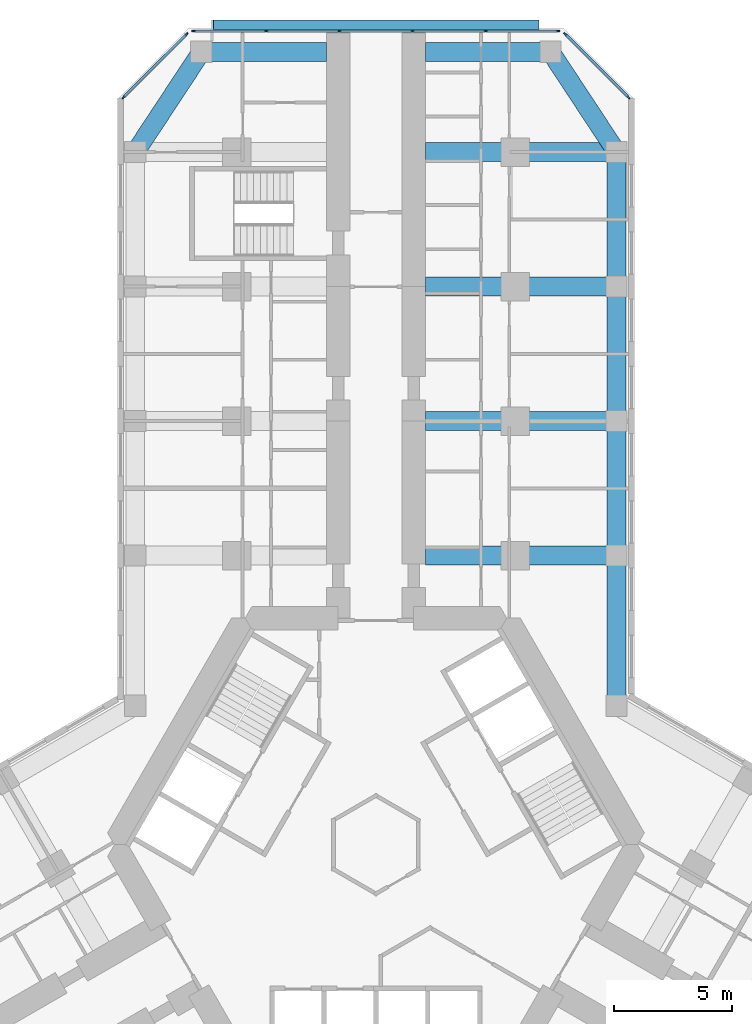
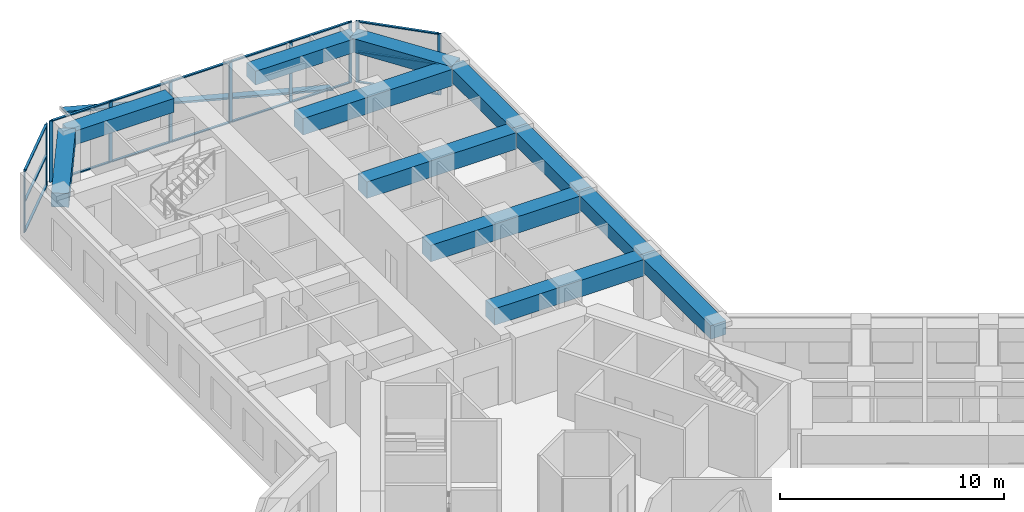
# One storey, part 7 of 22: 27 members, 12 beams, 3 elements without a shape of their own.
"""IFC4 building model written with IfcOpenShell, lengths in metres."""

from ifc_helpers import new_model, si_unit, direction, frame, origin, origin_2d, place, context, subcontext, project, spatial, rectangle, extrude, material, material_profile, profile_set, type_object, element, aggregate, save


model = new_model("IFC4")

# Units and contexts
model_context = context("Model", 3, precision=1e-05, world=origin(), true_north=direction((0.0, 1.0)))
body_context = subcontext(model_context, "Body", "Model", "MODEL_VIEW")
ifc_project = project(units=[si_unit("LENGTHUNIT", "METRE"), si_unit("AREAUNIT", "SQUARE_METRE"), si_unit("VOLUMEUNIT", "CUBIC_METRE"), si_unit("PLANEANGLEUNIT", "RADIAN"), si_unit("MASSUNIT", "GRAM", prefix="KILO")], contexts=[model_context])

# Site, building, storey
site_placement = place(None, origin())
site = spatial("IfcSite", under=ifc_project, at=site_placement, CompositionType="ELEMENT")
building_placement = place(site_placement, origin())
building = spatial("IfcBuilding", under=site, at=building_placement, Name="Kosmar Iwan School Tower", CompositionType="ELEMENT")
storey_placement = place(building_placement, frame((0.0, 0.0, 91.60009765625)))
storey = spatial("IfcBuildingStorey", under=building, at=storey_placement, Name="L22", CompositionType="ELEMENT", Elevation=91.60009765625)

# Member
ifc_material_1 = material(Name="Black anodised aluminium", Category="aluminium")
ifc_material_profile_1 = material_profile(ifc_material_1, rectangle(XDim=0.10009765625, YDim=0.39990234375, at=origin_2d()), Name="FIN 100x400")
ifc_profile_set_1 = profile_set([ifc_material_profile_1], Name="Black anodised aluminium")
member_type_1 = type_object("IfcMemberType", Name="Diagonal fin 100x400", PredefinedType="USERDEFINED", material=ifc_profile_set_1)
member_1_placement = place(storey_placement, frame((6.898193359375, 34.75, -0.150146484375), z_axis=(-0.967599450335, 0.0, 0.252490205179), x_axis=(0.252490205179, 0.0, 0.967599450335)))
element("IfcMember", 1, at=member_1_placement, inside=storey, type_object=member_type_1, Name="Diagonal fin L22-F08", ObjectType="FIN", PredefinedType="USERDEFINED", context=body_context, shape_type="SweptSolid", body=[
    extrude(rectangle(XDim=0.10009765625, YDim=0.39990234375, at=origin_2d()), origin(), (0.0, 0.0, 1.0), 14.25830078125),
])

# Curtain wall, members
ifc_material_2 = material(Name="Dark glass in black aluminium frame", Category="aluminium")
curtain_wall_type_1 = type_object("IfcCurtainWallType", Name="Chamfer curtain wall dark glass", PredefinedType="USERDEFINED", material=ifc_material_2)
curtain_wall_1_placement = place(storey_placement, origin())
curtain_wall_1 = element("IfcCurtainWall", 2, at=curtain_wall_1_placement, inside=storey, type_object=curtain_wall_type_1, Name="Curtain wall L22-F07", ObjectType="FACETED CURTAIN WALL", PredefinedType="USERDEFINED")
ifc_material_3 = material(Name="Black anodised aluminium", Category="aluminium")
ifc_material_profile_2 = material_profile(ifc_material_3, rectangle(XDim=0.06005859375, YDim=0.159912109375, at=origin_2d()), Name="MULLION 60x160")
ifc_profile_set_2 = profile_set([ifc_material_profile_2], Name="Black anodised aluminium")
member_type_2 = type_object("IfcMemberType", Name="Mullion 60x160", PredefinedType="MULLION", material=ifc_profile_set_2)
member_2_placement = place(storey_placement, frame((10.69775390625, 31.675537109375, 0.0), z_axis=(0.0, 0.0, 1.0), x_axis=(-0.707106781187, -0.707106781187, 0.0)))
member_2 = element("IfcMember", 3, at=member_2_placement, type_object=member_type_2, Name="CW2 mullion 1", PredefinedType="MULLION", context=body_context, shape_type="SweptSolid", body=[
    extrude(rectangle(XDim=0.06005859375, YDim=0.159912109375, at=origin_2d()), origin(), (0.0, 0.0, 1.0), 3.349853515625),
])
member_3_placement = place(storey_placement, frame((8.025390625, 34.34765625, 0.0), z_axis=(0.0, 0.0, 1.0), x_axis=(-0.707106781187, -0.707106781187, 0.0)))
member_3 = element("IfcMember", 4, at=member_3_placement, type_object=member_type_2, Name="CW2 mullion 2", PredefinedType="MULLION", context=body_context, shape_type="SweptSolid", body=[
    extrude(rectangle(XDim=0.06005859375, YDim=0.159912109375, at=origin_2d()), origin(), (0.0, 0.0, 1.0), 3.349853515625),
])

ifc_material_4 = material(Name="Dark glass in black aluminium frame", Category="aluminium")
curtain_wall_type_2 = type_object("IfcCurtainWallType", Name="Tower curtain wall dark glass", PredefinedType="USERDEFINED", material=ifc_material_4)
curtain_wall_2_placement = place(storey_placement, origin())
curtain_wall_2 = element("IfcCurtainWall", 5, at=curtain_wall_2_placement, inside=storey, type_object=curtain_wall_type_2, Name="Curtain wall L22-F08", ObjectType="UNITISED CURTAIN WALL", PredefinedType="USERDEFINED")
member_4_placement = place(storey_placement, frame((7.71826171875, 34.47509765625, 0.0), z_axis=(0.0, 0.0, 1.0), x_axis=(0.0, -1.0, 0.0)))
member_4 = element("IfcMember", 6, at=member_4_placement, type_object=member_type_2, Name="CW1 mullion 1", PredefinedType="MULLION", context=body_context, shape_type="SweptSolid", body=[
    extrude(rectangle(XDim=0.06005859375, YDim=0.159912109375, at=origin_2d()), origin(), (0.0, 0.0, 1.0), 3.349853515625),
])
member_5_placement = place(storey_placement, frame((4.64892578125, 34.47509765625, 0.0), z_axis=(0.0, 0.0, 1.0), x_axis=(0.0, -1.0, 0.0)))
member_5 = element("IfcMember", 7, at=member_5_placement, type_object=member_type_2, Name="CW1 mullion 2", PredefinedType="MULLION", context=body_context, shape_type="SweptSolid", body=[
    extrude(rectangle(XDim=0.06005859375, YDim=0.159912109375, at=origin_2d()), origin(), (0.0, 0.0, 1.0), 3.349853515625),
])
member_6_placement = place(storey_placement, frame((1.549560546875, 34.47509765625, 0.0), z_axis=(0.0, 0.0, 1.0), x_axis=(0.0, -1.0, 0.0)))
member_6 = element("IfcMember", 8, at=member_6_placement, type_object=member_type_2, Name="CW1 mullion 3", PredefinedType="MULLION", context=body_context, shape_type="SweptSolid", body=[
    extrude(rectangle(XDim=0.06005859375, YDim=0.159912109375, at=origin_2d()), origin(), (0.0, 0.0, 1.0), 3.349853515625),
])
member_7_placement = place(storey_placement, frame((-1.549560546875, 34.47509765625, 0.0), z_axis=(0.0, 0.0, 1.0), x_axis=(0.0, -1.0, 0.0)))
member_7 = element("IfcMember", 9, at=member_7_placement, type_object=member_type_2, Name="CW1 mullion 4", PredefinedType="MULLION", context=body_context, shape_type="SweptSolid", body=[
    extrude(rectangle(XDim=0.06005859375, YDim=0.159912109375, at=origin_2d()), origin(), (0.0, 0.0, 1.0), 3.349853515625),
])
member_8_placement = place(storey_placement, frame((-4.64892578125, 34.47509765625, 0.0), z_axis=(0.0, 0.0, 1.0), x_axis=(0.0, -1.0, 0.0)))
member_8 = element("IfcMember", 10, at=member_8_placement, type_object=member_type_2, Name="CW1 mullion 5", PredefinedType="MULLION", context=body_context, shape_type="SweptSolid", body=[
    extrude(rectangle(XDim=0.06005859375, YDim=0.159912109375, at=origin_2d()), origin(), (0.0, 0.0, 1.0), 3.349853515625),
])
member_9_placement = place(storey_placement, frame((-7.71826171875, 34.47509765625, 0.0), z_axis=(0.0, 0.0, 1.0), x_axis=(0.0, -1.0, 0.0)))
member_9 = element("IfcMember", 11, at=member_9_placement, type_object=member_type_2, Name="CW1 mullion 6", PredefinedType="MULLION", context=body_context, shape_type="SweptSolid", body=[
    extrude(rectangle(XDim=0.06005859375, YDim=0.159912109375, at=origin_2d()), origin(), (0.0, 0.0, 1.0), 3.349853515625),
])

curtain_wall_3_placement = place(storey_placement, origin())
curtain_wall_3 = element("IfcCurtainWall", 12, at=curtain_wall_3_placement, inside=storey, type_object=curtain_wall_type_1, Name="Curtain wall L22-F09", ObjectType="FACETED CURTAIN WALL", PredefinedType="USERDEFINED")
member_10_placement = place(storey_placement, frame((-8.025390625, 34.34765625, 0.0), z_axis=(0.0, 0.0, 1.0), x_axis=(0.707106781187, -0.707106781187, 0.0)))
member_10 = element("IfcMember", 13, at=member_10_placement, type_object=member_type_2, Name="CW2 mullion 1", PredefinedType="MULLION", context=body_context, shape_type="SweptSolid", body=[
    extrude(rectangle(XDim=0.06005859375, YDim=0.159912109375, at=origin_2d()), origin(), (0.0, 0.0, 1.0), 3.349853515625),
])
member_11_placement = place(storey_placement, frame((-10.69775390625, 31.675537109375, 0.0), z_axis=(0.0, 0.0, 1.0), x_axis=(0.707106781187, -0.707106781187, 0.0)))
member_11 = element("IfcMember", 14, at=member_11_placement, type_object=member_type_2, Name="CW2 mullion 2", PredefinedType="MULLION", context=body_context, shape_type="SweptSolid", body=[
    extrude(rectangle(XDim=0.06005859375, YDim=0.159912109375, at=origin_2d()), origin(), (0.0, 0.0, 1.0), 3.349853515625),
])

# Beams
ifc_material_5 = material(Name="Concrete C50/60", Category="concrete")
ifc_material_profile_3 = material_profile(ifc_material_5, rectangle(XDim=0.800048828125, YDim=0.75, at=origin_2d()), Name="RC 800x750")
ifc_profile_set_3 = profile_set([ifc_material_profile_3], Name="Concrete C50/60")
beam_type_1 = type_object("IfcBeamType", Name="RC edge beam 800x750", PredefinedType="BEAM", material=ifc_profile_set_3)
beam_1_placement = place(storey_placement, frame((10.199951171875, 5.888916015625, 2.974853515625), z_axis=(0.0, 1.0, 0.0), x_axis=(-1.0, 0.0, 0.0)))
element("IfcBeam", 15, at=beam_1_placement, inside=storey, type_object=beam_type_1, Name="Edge beam AR1", PredefinedType="BEAM", context=body_context, shape_type="SweptSolid", body=[
    extrude(rectangle(XDim=0.800048828125, YDim=0.75, at=origin_2d()), origin(), (0.0, 0.0, 1.0), 6.361083984375),
])
for number, where, z_axis, x_axis, name in (
    (16, (10.199951171875, 12.25, 2.974853515625), (0.0, 1.0, 0.0), (-1.0, 0.0, 0.0), "Edge beam AR2"),
    (17, (10.199951171875, 17.949951171875, 2.974853515625), (0.0, 1.0, 0.0), (-1.0, 0.0, 0.0), "Edge beam AR3"),
):
    element("IfcBeam", number, at=place(storey_placement, frame(where, z_axis=z_axis, x_axis=x_axis)), inside=storey, type_object=beam_type_1, Name=name, PredefinedType="BEAM", context=body_context, shape_type="SweptSolid", body=[
        extrude(rectangle(XDim=0.800048828125, YDim=0.75, at=origin_2d()), origin(), (0.0, 0.0, 1.0), 5.699951171875),
    ])
beam_2_placement = place(storey_placement, frame((10.199951171875, 23.64990234375, 2.974853515625), z_axis=(0.0, 1.0, 0.0), x_axis=(-1.0, 0.0, 0.0)))
element("IfcBeam", 18, at=beam_2_placement, inside=storey, type_object=beam_type_1, Name="Edge beam AR4", PredefinedType="BEAM", context=body_context, shape_type="SweptSolid", body=[
    extrude(rectangle(XDim=0.800048828125, YDim=0.75, at=origin_2d()), origin(), (0.0, 0.0, 1.0), 5.7001953125),
])
ifc_material_6 = material(Name="Concrete C50/60", Category="concrete")
ifc_material_profile_4 = material_profile(ifc_material_6, rectangle(XDim=0.800048828125, YDim=0.75, at=origin_2d()), Name="RC 800x750")
ifc_profile_set_4 = profile_set([ifc_material_profile_4], Name="Concrete C50/60")
beam_type_2 = type_object("IfcBeamType", Name="RC tip beam 800x750", PredefinedType="BEAM", material=ifc_profile_set_4)
beam_3_placement = place(storey_placement, frame((-10.199951171875, 29.35009765625, 2.974853515625), z_axis=(0.550164383043, 0.835056376319, 0.0), x_axis=(-0.835056376319, 0.550164383043, 0.0)))
element("IfcBeam", 19, at=beam_3_placement, inside=storey, type_object=beam_type_2, Name="Tip beam AL", PredefinedType="BEAM", context=body_context, shape_type="SweptSolid", body=[
    extrude(rectangle(XDim=0.800048828125, YDim=0.75, at=origin_2d()), origin(), (0.0, 0.0, 1.0), 5.08935546875),
])
beam_4_placement = place(storey_placement, frame((-7.39990234375, 33.60009765625, 2.974853515625), z_axis=(1.0, 0.0, 0.0), x_axis=(0.0, 1.0, 0.0)))
element("IfcBeam", 20, at=beam_4_placement, inside=storey, type_object=beam_type_2, Name="Tip beam AL to corridor wall", PredefinedType="BEAM", context=body_context, shape_type="SweptSolid", body=[
    extrude(rectangle(XDim=0.800048828125, YDim=0.75, at=origin_2d()), origin(), (0.0, 0.0, 1.0), 5.2998046875),
])
beam_5_placement = place(storey_placement, frame((10.199951171875, 29.35009765625, 2.974853515625), z_axis=(-0.550164383043, 0.835056376319, 0.0), x_axis=(-0.835056376319, -0.550164383043, 0.0)))
element("IfcBeam", 21, at=beam_5_placement, inside=storey, type_object=beam_type_2, Name="Tip beam AR", PredefinedType="BEAM", context=body_context, shape_type="SweptSolid", body=[
    extrude(rectangle(XDim=0.800048828125, YDim=0.75, at=origin_2d()), origin(), (0.0, 0.0, 1.0), 5.08935546875),
])
beam_6_placement = place(storey_placement, frame((7.39990234375, 33.60009765625, 2.974853515625), z_axis=(-1.0, 0.0, 0.0), x_axis=(0.0, -1.0, 0.0)))
element("IfcBeam", 22, at=beam_6_placement, inside=storey, type_object=beam_type_2, Name="Tip beam AR to corridor wall", PredefinedType="BEAM", context=body_context, shape_type="SweptSolid", body=[
    extrude(rectangle(XDim=0.800048828125, YDim=0.75, at=origin_2d()), origin(), (0.0, 0.0, 1.0), 5.2998046875),
])
ifc_material_7 = material(Name="Concrete C50/60", Category="concrete")
ifc_material_profile_5 = material_profile(ifc_material_7, rectangle(XDim=0.800048828125, YDim=0.89990234375, at=origin_2d()), Name="RC 800x900")
ifc_profile_set_5 = profile_set([ifc_material_profile_5], Name="Concrete C50/60")
beam_type_3 = type_object("IfcBeamType", Name="RC transverse beam 800x900", PredefinedType="BEAM", material=ifc_profile_set_5)
for number, where, z_axis, x_axis, name in (
    (23, (10.199951171875, 12.25, 2.89990234375), (-1.0, 0.0, 0.0), (0.0, -1.0, 0.0), "Transverse beam AR1"),
    (24, (10.199951171875, 17.949951171875, 2.89990234375), (-1.0, 0.0, 0.0), (0.0, -1.0, 0.0), "Transverse beam AR2"),
    (25, (10.199951171875, 23.64990234375, 2.89990234375), (-1.0, 0.0, 0.0), (0.0, -1.0, 0.0), "Transverse beam AR3"),
    (26, (10.199951171875, 29.35009765625, 2.89990234375), (-1.0, 0.0, 0.0), (0.0, -1.0, 0.0), "Transverse beam AR4"),
):
    element("IfcBeam", number, at=place(storey_placement, frame(where, z_axis=z_axis, x_axis=x_axis)), inside=storey, type_object=beam_type_3, Name=name, PredefinedType="BEAM", context=body_context, shape_type="SweptSolid", body=[
        extrude(rectangle(XDim=0.800048828125, YDim=0.89990234375, at=origin_2d()), origin(), (0.0, 0.0, 1.0), 8.099853515625),
    ])

# Member
ifc_material_8 = material(Name="Black anodised aluminium", Category="aluminium")
ifc_material_profile_6 = material_profile(ifc_material_8, rectangle(XDim=0.1201171875, YDim=0.06005859375, at=origin_2d()), Name="TRANSOM 60x120")
ifc_profile_set_6 = profile_set([ifc_material_profile_6], Name="Black anodised aluminium")
member_type_3 = type_object("IfcMemberType", Name="Transom 60x120", PredefinedType="USERDEFINED", material=ifc_profile_set_6)
member_12_placement = place(storey_placement, frame((10.676513671875, 31.69677734375, 0.02978515625), z_axis=(-0.707139603466, 0.707073957383, 0.0), x_axis=(-0.707073957383, -0.707139603466, 0.0)))
member_12 = element("IfcMember", 27, at=member_12_placement, type_object=member_type_3, Name="CW2 transom 1.1", ObjectType="TRANSOM", PredefinedType="USERDEFINED", context=body_context, shape_type="SweptSolid", body=[
    extrude(rectangle(XDim=0.1201171875, YDim=0.06005859375, at=origin_2d()), origin(), (0.0, 0.0, 1.0), 3.718994140625),
])

member_13_placement = place(storey_placement, frame((10.676513671875, 31.69677734375, 1.6748046875), z_axis=(-0.707139603466, 0.707073957383, 0.0), x_axis=(-0.707073957383, -0.707139603466, 0.0)))
member_13 = element("IfcMember", 28, at=member_13_placement, type_object=member_type_3, Name="CW2 transom 1.2", ObjectType="TRANSOM", PredefinedType="USERDEFINED", context=body_context, shape_type="SweptSolid", body=[
    extrude(rectangle(XDim=0.1201171875, YDim=0.06005859375, at=origin_2d()), origin(), (0.0, 0.0, 1.0), 3.718994140625),
])

member_14_placement = place(storey_placement, frame((10.676513671875, 31.69677734375, 3.31982421875), z_axis=(-0.707139603466, 0.707073957383, 0.0), x_axis=(-0.707073957383, -0.707139603466, 0.0)))
member_14 = element("IfcMember", 29, at=member_14_placement, type_object=member_type_3, Name="CW2 transom 1.3", ObjectType="TRANSOM", PredefinedType="USERDEFINED", context=body_context, shape_type="SweptSolid", body=[
    extrude(rectangle(XDim=0.1201171875, YDim=0.06005859375, at=origin_2d()), origin(), (0.0, 0.0, 1.0), 3.718994140625),
])

aggregate(curtain_wall_1, [member_2, member_3, member_12, member_13, member_14])

member_15_placement = place(storey_placement, frame((7.688232421875, 34.47509765625, 0.02978515625), z_axis=(-1.0, 0.0, 0.0), x_axis=(0.0, -1.0, 0.0)))
member_15 = element("IfcMember", 30, at=member_15_placement, type_object=member_type_3, Name="CW1 transom 1.1", ObjectType="TRANSOM", PredefinedType="USERDEFINED", context=body_context, shape_type="SweptSolid", body=[
    extrude(rectangle(XDim=0.1201171875, YDim=0.06005859375, at=origin_2d()), origin(), (0.0, 0.0, 1.0), 3.00927734375),
])

member_16_placement = place(storey_placement, frame((7.688232421875, 34.47509765625, 3.31982421875), z_axis=(-1.0, 0.0, 0.0), x_axis=(0.0, -1.0, 0.0)))
member_16 = element("IfcMember", 31, at=member_16_placement, type_object=member_type_3, Name="CW1 transom 1.2", ObjectType="TRANSOM", PredefinedType="USERDEFINED", context=body_context, shape_type="SweptSolid", body=[
    extrude(rectangle(XDim=0.1201171875, YDim=0.06005859375, at=origin_2d()), origin(), (0.0, 0.0, 1.0), 3.00927734375),
])

member_17_placement = place(storey_placement, frame((4.618896484375, 34.47509765625, 0.02978515625), z_axis=(-1.0, 0.0, 0.0), x_axis=(0.0, -1.0, 0.0)))
member_17 = element("IfcMember", 32, at=member_17_placement, type_object=member_type_3, Name="CW1 transom 2.1", ObjectType="TRANSOM", PredefinedType="USERDEFINED", context=body_context, shape_type="SweptSolid", body=[
    extrude(rectangle(XDim=0.1201171875, YDim=0.06005859375, at=origin_2d()), origin(), (0.0, 0.0, 1.0), 3.039306640625),
])

member_18_placement = place(storey_placement, frame((4.618896484375, 34.47509765625, 3.31982421875), z_axis=(-1.0, 0.0, 0.0), x_axis=(0.0, -1.0, 0.0)))
member_18 = element("IfcMember", 33, at=member_18_placement, type_object=member_type_3, Name="CW1 transom 2.2", ObjectType="TRANSOM", PredefinedType="USERDEFINED", context=body_context, shape_type="SweptSolid", body=[
    extrude(rectangle(XDim=0.1201171875, YDim=0.06005859375, at=origin_2d()), origin(), (0.0, 0.0, 1.0), 3.039306640625),
])

member_19_placement = place(storey_placement, frame((1.51953125, 34.47509765625, 0.02978515625), z_axis=(-1.0, 0.0, 0.0), x_axis=(0.0, -1.0, 0.0)))
member_19 = element("IfcMember", 34, at=member_19_placement, type_object=member_type_3, Name="CW1 transom 3.1", ObjectType="TRANSOM", PredefinedType="USERDEFINED", context=body_context, shape_type="SweptSolid", body=[
    extrude(rectangle(XDim=0.1201171875, YDim=0.06005859375, at=origin_2d()), origin(), (0.0, 0.0, 1.0), 3.0390625),
])

member_20_placement = place(storey_placement, frame((1.51953125, 34.47509765625, 3.31982421875), z_axis=(-1.0, 0.0, 0.0), x_axis=(0.0, -1.0, 0.0)))
member_20 = element("IfcMember", 35, at=member_20_placement, type_object=member_type_3, Name="CW1 transom 3.2", ObjectType="TRANSOM", PredefinedType="USERDEFINED", context=body_context, shape_type="SweptSolid", body=[
    extrude(rectangle(XDim=0.1201171875, YDim=0.06005859375, at=origin_2d()), origin(), (0.0, 0.0, 1.0), 3.0390625),
])

member_21_placement = place(storey_placement, frame((-1.57958984375, 34.47509765625, 0.02978515625), z_axis=(-1.0, 0.0, 0.0), x_axis=(0.0, -1.0, 0.0)))
member_21 = element("IfcMember", 36, at=member_21_placement, type_object=member_type_3, Name="CW1 transom 4.1", ObjectType="TRANSOM", PredefinedType="USERDEFINED", context=body_context, shape_type="SweptSolid", body=[
    extrude(rectangle(XDim=0.1201171875, YDim=0.06005859375, at=origin_2d()), origin(), (0.0, 0.0, 1.0), 3.039306640625),
])

member_22_placement = place(storey_placement, frame((-1.57958984375, 34.47509765625, 3.31982421875), z_axis=(-1.0, 0.0, 0.0), x_axis=(0.0, -1.0, 0.0)))
member_22 = element("IfcMember", 37, at=member_22_placement, type_object=member_type_3, Name="CW1 transom 4.2", ObjectType="TRANSOM", PredefinedType="USERDEFINED", context=body_context, shape_type="SweptSolid", body=[
    extrude(rectangle(XDim=0.1201171875, YDim=0.06005859375, at=origin_2d()), origin(), (0.0, 0.0, 1.0), 3.039306640625),
])

member_23_placement = place(storey_placement, frame((-4.678955078125, 34.47509765625, 0.02978515625), z_axis=(-1.0, 0.0, 0.0), x_axis=(0.0, -1.0, 0.0)))
member_23 = element("IfcMember", 38, at=member_23_placement, type_object=member_type_3, Name="CW1 transom 5.1", ObjectType="TRANSOM", PredefinedType="USERDEFINED", context=body_context, shape_type="SweptSolid", body=[
    extrude(rectangle(XDim=0.1201171875, YDim=0.06005859375, at=origin_2d()), origin(), (0.0, 0.0, 1.0), 3.00927734375),
])

member_24_placement = place(storey_placement, frame((-4.678955078125, 34.47509765625, 3.31982421875), z_axis=(-1.0, 0.0, 0.0), x_axis=(0.0, -1.0, 0.0)))
member_24 = element("IfcMember", 39, at=member_24_placement, type_object=member_type_3, Name="CW1 transom 5.2", ObjectType="TRANSOM", PredefinedType="USERDEFINED", context=body_context, shape_type="SweptSolid", body=[
    extrude(rectangle(XDim=0.1201171875, YDim=0.06005859375, at=origin_2d()), origin(), (0.0, 0.0, 1.0), 3.00927734375),
])

aggregate(curtain_wall_2, [member_4, member_5, member_6, member_7, member_8, member_9, member_15, member_16, member_17, member_18, member_19, member_20, member_21, member_22, member_23, member_24])

member_25_placement = place(storey_placement, frame((-8.046630859375, 34.326416015625, 0.02978515625), z_axis=(-0.707139603466, -0.707073957383, 0.0), x_axis=(0.707073957383, -0.707139603466, 0.0)))
member_25 = element("IfcMember", 40, at=member_25_placement, type_object=member_type_3, Name="CW2 transom 1.1", ObjectType="TRANSOM", PredefinedType="USERDEFINED", context=body_context, shape_type="SweptSolid", body=[
    extrude(rectangle(XDim=0.1201171875, YDim=0.06005859375, at=origin_2d()), origin(), (0.0, 0.0, 1.0), 3.718994140625),
])

member_26_placement = place(storey_placement, frame((-8.046630859375, 34.326416015625, 1.6748046875), z_axis=(-0.707139603466, -0.707073957383, 0.0), x_axis=(0.707073957383, -0.707139603466, 0.0)))
member_26 = element("IfcMember", 41, at=member_26_placement, type_object=member_type_3, Name="CW2 transom 1.2", ObjectType="TRANSOM", PredefinedType="USERDEFINED", context=body_context, shape_type="SweptSolid", body=[
    extrude(rectangle(XDim=0.1201171875, YDim=0.06005859375, at=origin_2d()), origin(), (0.0, 0.0, 1.0), 3.718994140625),
])

member_27_placement = place(storey_placement, frame((-8.046630859375, 34.326416015625, 3.31982421875), z_axis=(-0.707139603466, -0.707073957383, 0.0), x_axis=(0.707073957383, -0.707139603466, 0.0)))
member_27 = element("IfcMember", 42, at=member_27_placement, type_object=member_type_3, Name="CW2 transom 1.3", ObjectType="TRANSOM", PredefinedType="USERDEFINED", context=body_context, shape_type="SweptSolid", body=[
    extrude(rectangle(XDim=0.1201171875, YDim=0.06005859375, at=origin_2d()), origin(), (0.0, 0.0, 1.0), 3.718994140625),
])

aggregate(curtain_wall_3, [member_10, member_11, member_25, member_26, member_27])

save(model, "model.ifc")
